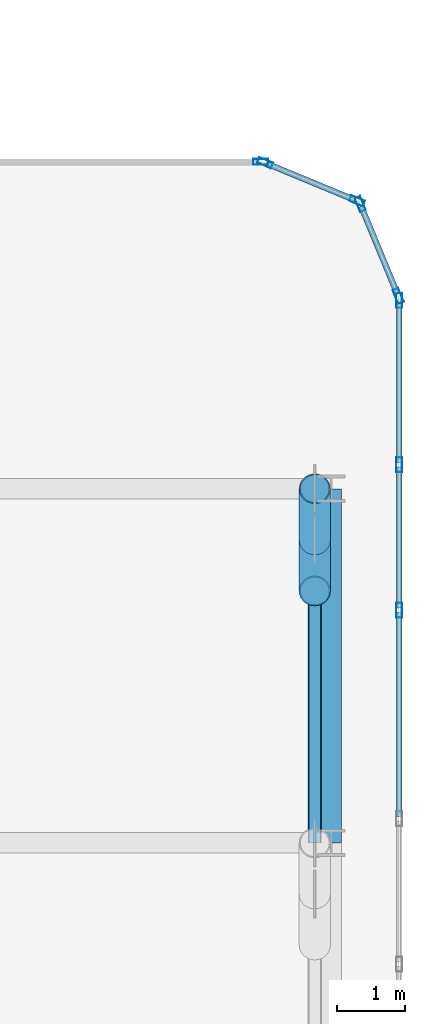
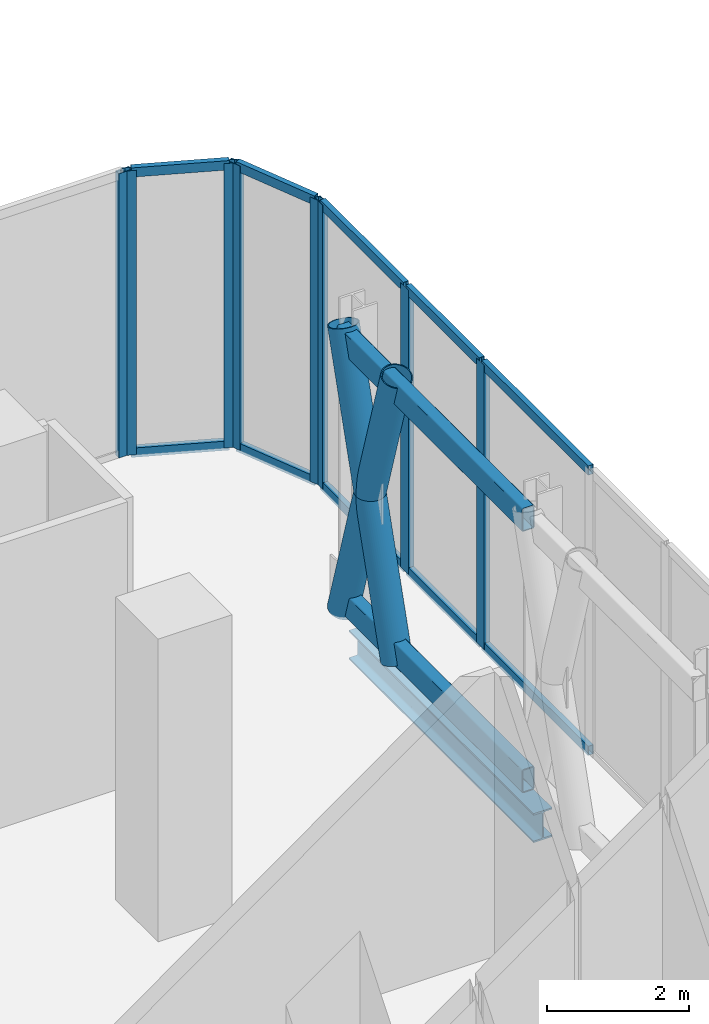
# One storey, part 20 of 36: 23 members, 1 beam, 6 elements without a shape of their own.
"""IFC4 building model written with IfcOpenShell, lengths in metres."""

from ifc_helpers import new_model, si_unit, direction, frame, origin, origin_2d, place, context, subcontext, project, spatial, hollow_rectangle, hollow_circle, i_section, extrude, material, layer, layer_set, material_profile, profile_set, type_object, element, aggregate, save


model = new_model("IFC4")

# Units and contexts
model_context = context("Model", 3, precision=1e-05, world=origin(), true_north=direction((0.0, 1.0)))
body_context = subcontext(model_context, "Body", "Model", "MODEL_VIEW")
ifc_project = project(units=[si_unit("LENGTHUNIT", "METRE"), si_unit("AREAUNIT", "SQUARE_METRE"), si_unit("VOLUMEUNIT", "CUBIC_METRE"), si_unit("PLANEANGLEUNIT", "RADIAN"), si_unit("MASSUNIT", "GRAM", prefix="KILO")], contexts=[model_context])

# Site, building, storey
site_placement = place(None, origin())
site = spatial("IfcSite", under=ifc_project, at=site_placement, CompositionType="ELEMENT")
building_placement = place(site_placement, origin())
building = spatial("IfcBuilding", under=site, at=building_placement, Name="Keshet Zoharim Tower", CompositionType="ELEMENT")
storey_placement = place(building_placement, frame((0.0, 0.0, 81.199951171875)))
storey = spatial("IfcBuildingStorey", under=building, at=storey_placement, Name="L19", CompositionType="ELEMENT", Elevation=81.199951171875)

# Beam
ifc_material_1 = material(Name="Steel S355", Category="steel")
ifc_material_profile_1 = material_profile(ifc_material_1, i_section(OverallWidth=0.300048828125, OverallDepth=0.5, WebThickness=0.014404296875, FlangeThickness=0.028076171875, FilletRadius=0.027099609375, at=origin_2d()), Name="HEB500")
ifc_profile_set_1 = profile_set([ifc_material_profile_1], Name="Steel S355")
beam_type = type_object("IfcBeamType", Name="BM-WEB-HB500", PredefinedType="BEAM", material=ifc_profile_set_1)
beam_placement = place(storey_placement, frame((69.0, 22.699951171875, -0.669921875), z_axis=(0.0, 1.0, 0.0), x_axis=(-1.0, 0.0, 0.0)))
element("IfcBeam", 1, at=beam_placement, inside=storey, type_object=beam_type, Name="L19 Primary Girder Y-025", PredefinedType="BEAM", context=body_context, shape_type="SweptSolid", body=[
    extrude(i_section(OverallWidth=0.300048828125, OverallDepth=0.5, WebThickness=0.014404296875, FlangeThickness=0.028076171875, FilletRadius=0.027099609375, at=origin_2d()), origin(), (0.0, 0.0, 1.0), 5.199951171875),
])

# Curtain wall, member
ifc_material_2 = material(Name="Aluminium 6063-T6", Category="aluminium")
ifc_layer = layer(ifc_material_2, 0.169921875)
ifc_layer_set = layer_set([ifc_layer], Name="Aluminium 6063-T6")
curtain_wall_type = type_object("IfcCurtainWallType", Name="CW-SYS-02", PredefinedType="NOTDEFINED", material=ifc_layer_set)
curtain_wall_1_placement = place(storey_placement, origin())
curtain_wall_1 = element("IfcCurtainWall", 2, at=curtain_wall_1_placement, inside=storey, type_object=curtain_wall_type, Name="L19 Unitised Curtain Wall 13", PredefinedType="NOTDEFINED")
ifc_material_profile_2 = material_profile(ifc_material_2, hollow_rectangle(XDim=0.090087890625, YDim=0.219970703125, WallThickness=0.0048828125, at=origin_2d()), Name="MUL-90x220")
ifc_profile_set_2 = profile_set([ifc_material_profile_2], Name="Aluminium 6063-T6")
member_type_1 = type_object("IfcMemberType", Name="CWM-M22", PredefinedType="MULLION", material=ifc_profile_set_2)
member_1_placement = place(storey_placement, frame((67.965087890625, 32.699951171875, 0.0), z_axis=(0.0, 0.0, 1.0), x_axis=(0.0, 1.0, 0.0)))
member_1 = element("IfcMember", 3, at=member_1_placement, type_object=member_type_1, Name="CW-02 mullion 2", PredefinedType="MULLION", context=body_context, shape_type="SweptSolid", body=[
    extrude(hollow_rectangle(XDim=0.090087890625, YDim=0.219970703125, WallThickness=0.0048828125, at=origin_2d()), origin(), (0.0, 0.0, 1.0), 4.885009765625),
])
aggregate(curtain_wall_1, [member_1])

# Curtain wall, members
curtain_wall_2_placement = place(storey_placement, origin())
curtain_wall_2 = element("IfcCurtainWall", 4, at=curtain_wall_2_placement, inside=storey, type_object=curtain_wall_type, Name="L19 Unitised Curtain Wall 14", PredefinedType="NOTDEFINED")
member_2_placement = place(storey_placement, frame((68.0322265625, 32.6865234375, 0.0), z_axis=(0.0, 0.0, 1.0), x_axis=(0.382851849847, 0.92380975372, 0.0)))
member_2 = element("IfcMember", 5, at=member_2_placement, type_object=member_type_1, Name="CW-02 mullion 1", PredefinedType="MULLION", context=body_context, shape_type="SweptSolid", body=[
    extrude(hollow_rectangle(XDim=0.090087890625, YDim=0.219970703125, WallThickness=0.0048828125, at=origin_2d()), origin(), (0.0, 0.0, 1.0), 4.885009765625),
])
member_3_placement = place(storey_placement, frame((69.381591796875, 32.12744140625, 0.0), z_axis=(0.0, 0.0, 1.0), x_axis=(0.382851849847, 0.92380975372, 0.0)))
member_3 = element("IfcMember", 6, at=member_3_placement, type_object=member_type_1, Name="CW-02 mullion 2", PredefinedType="MULLION", context=body_context, shape_type="SweptSolid", body=[
    extrude(hollow_rectangle(XDim=0.090087890625, YDim=0.219970703125, WallThickness=0.0048828125, at=origin_2d()), origin(), (0.0, 0.0, 1.0), 4.885009765625),
])

curtain_wall_3_placement = place(storey_placement, origin())
curtain_wall_3 = element("IfcCurtainWall", 7, at=curtain_wall_3_placement, inside=storey, type_object=curtain_wall_type, Name="L19 Unitised Curtain Wall 15", PredefinedType="NOTDEFINED")
member_4_placement = place(storey_placement, frame((69.427490234375, 32.081787109375, 0.0), z_axis=(0.0, 0.0, 1.0), x_axis=(0.92380975372, 0.382851849847, 0.0)))
member_4 = element("IfcMember", 8, at=member_4_placement, type_object=member_type_1, Name="CW-02 mullion 1", PredefinedType="MULLION", context=body_context, shape_type="SweptSolid", body=[
    extrude(hollow_rectangle(XDim=0.090087890625, YDim=0.219970703125, WallThickness=0.0048828125, at=origin_2d()), origin(), (0.0, 0.0, 1.0), 4.885009765625),
])
member_5_placement = place(storey_placement, frame((69.986572265625, 30.732421875, 0.0), z_axis=(0.0, 0.0, 1.0), x_axis=(0.92380975372, 0.382851849847, 0.0)))
member_5 = element("IfcMember", 9, at=member_5_placement, type_object=member_type_1, Name="CW-02 mullion 2", PredefinedType="MULLION", context=body_context, shape_type="SweptSolid", body=[
    extrude(hollow_rectangle(XDim=0.090087890625, YDim=0.219970703125, WallThickness=0.0048828125, at=origin_2d()), origin(), (0.0, 0.0, 1.0), 4.885009765625),
])

curtain_wall_4_placement = place(storey_placement, origin())
curtain_wall_4 = element("IfcCurtainWall", 10, at=curtain_wall_4_placement, inside=storey, type_object=curtain_wall_type, Name="L19 Unitised Curtain Wall 16", PredefinedType="NOTDEFINED")
member_6_placement = place(storey_placement, frame((70.0, 30.6650390625, 0.0), z_axis=(0.0, 0.0, 1.0), x_axis=(1.0, 0.0, 0.0)))
member_6 = element("IfcMember", 11, at=member_6_placement, type_object=member_type_1, Name="CW-02 mullion 1", PredefinedType="MULLION", context=body_context, shape_type="SweptSolid", body=[
    extrude(hollow_rectangle(XDim=0.090087890625, YDim=0.219970703125, WallThickness=0.0048828125, at=origin_2d()), origin(), (0.0, 0.0, 1.0), 4.885009765625),
])
member_7_placement = place(storey_placement, frame((70.0, 28.25341796875, 0.0), z_axis=(0.0, 0.0, 1.0), x_axis=(1.0, 0.0, 0.0)))
member_7 = element("IfcMember", 12, at=member_7_placement, type_object=member_type_1, Name="CW-02 mullion 2", PredefinedType="MULLION", context=body_context, shape_type="SweptSolid", body=[
    extrude(hollow_rectangle(XDim=0.090087890625, YDim=0.219970703125, WallThickness=0.0048828125, at=origin_2d()), origin(), (0.0, 0.0, 1.0), 4.885009765625),
])

# Curtain wall, member
curtain_wall_5_placement = place(storey_placement, origin())
curtain_wall_5 = element("IfcCurtainWall", 13, at=curtain_wall_5_placement, inside=storey, type_object=curtain_wall_type, Name="L19 Unitised Curtain Wall 16 Part 2", PredefinedType="NOTDEFINED")
member_8_placement = place(storey_placement, frame((70.0, 26.11669921875, 0.0), z_axis=(0.0, 0.0, 1.0), x_axis=(1.0, 0.0, 0.0)))
member_8 = element("IfcMember", 14, at=member_8_placement, type_object=member_type_1, Name="CW-02 mullion 2", PredefinedType="MULLION", context=body_context, shape_type="SweptSolid", body=[
    extrude(hollow_rectangle(XDim=0.090087890625, YDim=0.219970703125, WallThickness=0.0048828125, at=origin_2d()), origin(), (0.0, 0.0, 1.0), 4.885009765625),
])

# Member
ifc_material_profile_3 = material_profile(ifc_material_2, hollow_rectangle(XDim=0.0849609375, YDim=0.159912109375, WallThickness=0.00439453125, at=origin_2d()), Name="TRN-85x160")
ifc_profile_set_3 = profile_set([ifc_material_profile_3], Name="Aluminium 6063-T6")
member_type_2 = type_object("IfcMemberType", Name="CWT-T16", PredefinedType="USERDEFINED", material=ifc_profile_set_3)
member_9_placement = place(storey_placement, frame((68.064697265625, 32.673095703125, 0.03515625), z_axis=(0.923854189844, -0.382744609247, 0.0), x_axis=(0.382744609247, 0.923854189844, 0.0)))
member_9 = element("IfcMember", 15, at=member_9_placement, type_object=member_type_2, Name="CW-02 transom 1.1", ObjectType="TRANSOM", PredefinedType="USERDEFINED", context=body_context, shape_type="SweptSolid", body=[
    extrude(hollow_rectangle(XDim=0.0849609375, YDim=0.159912109375, WallThickness=0.00439453125, at=origin_2d()), origin(), (0.0, 0.0, 1.0), 1.390625),
])

member_10_placement = place(storey_placement, frame((68.064697265625, 32.673095703125, 4.85009765625), z_axis=(0.923854189844, -0.382744609247, 0.0), x_axis=(0.382744609247, 0.923854189844, 0.0)))
member_10 = element("IfcMember", 16, at=member_10_placement, type_object=member_type_2, Name="CW-02 transom 1.2", ObjectType="TRANSOM", PredefinedType="USERDEFINED", context=body_context, shape_type="SweptSolid", body=[
    extrude(hollow_rectangle(XDim=0.0849609375, YDim=0.159912109375, WallThickness=0.00439453125, at=origin_2d()), origin(), (0.0, 0.0, 1.0), 1.390625),
])

aggregate(curtain_wall_2, [member_2, member_3, member_9, member_10])

member_11_placement = place(storey_placement, frame((69.44091796875, 32.04931640625, 0.03515625), z_axis=(0.382744609247, -0.923854189844, 0.0), x_axis=(0.923854189844, 0.382744609247, 0.0)))
member_11 = element("IfcMember", 17, at=member_11_placement, type_object=member_type_2, Name="CW-02 transom 1.1", ObjectType="TRANSOM", PredefinedType="USERDEFINED", context=body_context, shape_type="SweptSolid", body=[
    extrude(hollow_rectangle(XDim=0.0849609375, YDim=0.159912109375, WallThickness=0.00439453125, at=origin_2d()), origin(), (0.0, 0.0, 1.0), 1.390625),
])

member_12_placement = place(storey_placement, frame((69.44091796875, 32.04931640625, 4.85009765625), z_axis=(0.382744609247, -0.923854189844, 0.0), x_axis=(0.923854189844, 0.382744609247, 0.0)))
member_12 = element("IfcMember", 18, at=member_12_placement, type_object=member_type_2, Name="CW-02 transom 1.2", ObjectType="TRANSOM", PredefinedType="USERDEFINED", context=body_context, shape_type="SweptSolid", body=[
    extrude(hollow_rectangle(XDim=0.0849609375, YDim=0.159912109375, WallThickness=0.00439453125, at=origin_2d()), origin(), (0.0, 0.0, 1.0), 1.390625),
])

aggregate(curtain_wall_3, [member_4, member_5, member_11, member_12])

member_13_placement = place(storey_placement, frame((70.0, 30.6298828125, 0.03515625), z_axis=(0.0, -1.0, 0.0), x_axis=(1.0, 0.0, 0.0)))
member_13 = element("IfcMember", 19, at=member_13_placement, type_object=member_type_2, Name="CW-02 transom 1.1", ObjectType="TRANSOM", PredefinedType="USERDEFINED", context=body_context, shape_type="SweptSolid", body=[
    extrude(hollow_rectangle(XDim=0.0849609375, YDim=0.159912109375, WallThickness=0.00439453125, at=origin_2d()), origin(), (0.0, 0.0, 1.0), 2.341552734375),
])

member_14_placement = place(storey_placement, frame((70.0, 30.6298828125, 4.85009765625), z_axis=(0.0, -1.0, 0.0), x_axis=(1.0, 0.0, 0.0)))
member_14 = element("IfcMember", 20, at=member_14_placement, type_object=member_type_2, Name="CW-02 transom 1.2", ObjectType="TRANSOM", PredefinedType="USERDEFINED", context=body_context, shape_type="SweptSolid", body=[
    extrude(hollow_rectangle(XDim=0.0849609375, YDim=0.159912109375, WallThickness=0.00439453125, at=origin_2d()), origin(), (0.0, 0.0, 1.0), 2.341552734375),
])

aggregate(curtain_wall_4, [member_6, member_7, member_13, member_14])

member_15_placement = place(storey_placement, frame((70.0, 28.218505859375, 0.03515625), z_axis=(0.0, -1.0, 0.0), x_axis=(1.0, 0.0, 0.0)))
member_15 = element("IfcMember", 21, at=member_15_placement, type_object=member_type_2, Name="CW-02 transom 1.1", ObjectType="TRANSOM", PredefinedType="USERDEFINED", context=body_context, shape_type="SweptSolid", body=[
    extrude(hollow_rectangle(XDim=0.0849609375, YDim=0.159912109375, WallThickness=0.00439453125, at=origin_2d()), origin(), (0.0, 0.0, 1.0), 2.06689453125),
])

member_16_placement = place(storey_placement, frame((70.0, 28.218505859375, 4.85009765625), z_axis=(0.0, -1.0, 0.0), x_axis=(1.0, 0.0, 0.0)))
member_16 = element("IfcMember", 22, at=member_16_placement, type_object=member_type_2, Name="CW-02 transom 1.2", ObjectType="TRANSOM", PredefinedType="USERDEFINED", context=body_context, shape_type="SweptSolid", body=[
    extrude(hollow_rectangle(XDim=0.0849609375, YDim=0.159912109375, WallThickness=0.00439453125, at=origin_2d()), origin(), (0.0, 0.0, 1.0), 2.06689453125),
])

aggregate(curtain_wall_5, [member_8, member_15, member_16])

# Curtain wall, members
curtain_wall_6_placement = place(storey_placement, origin())
curtain_wall_6 = element("IfcCurtainWall", 23, at=curtain_wall_6_placement, inside=storey, type_object=curtain_wall_type, Name="L19 Unitised Curtain Wall 16 Part 3", PredefinedType="NOTDEFINED")
member_17_placement = place(storey_placement, frame((70.0, 26.08154296875, 0.03515625), z_axis=(0.0, -1.0, 0.0), x_axis=(1.0, 0.0, 0.0)))
member_17 = element("IfcMember", 24, at=member_17_placement, type_object=member_type_2, Name="CW-02 transom 1.1", ObjectType="TRANSOM", PredefinedType="USERDEFINED", context=body_context, shape_type="SweptSolid", body=[
    extrude(hollow_rectangle(XDim=0.0849609375, YDim=0.159912109375, WallThickness=0.00439453125, at=origin_2d()), origin(), (0.0, 0.0, 1.0), 2.9931640625),
])
member_18_placement = place(storey_placement, frame((70.0, 26.08154296875, 4.85009765625), z_axis=(0.0, -1.0, 0.0), x_axis=(1.0, 0.0, 0.0)))
member_18 = element("IfcMember", 25, at=member_18_placement, type_object=member_type_2, Name="CW-02 transom 1.2", ObjectType="TRANSOM", PredefinedType="USERDEFINED", context=body_context, shape_type="SweptSolid", body=[
    extrude(hollow_rectangle(XDim=0.0849609375, YDim=0.159912109375, WallThickness=0.00439453125, at=origin_2d()), origin(), (0.0, 0.0, 1.0), 2.9931640625),
])
aggregate(curtain_wall_6, [member_17, member_18])

# Members
ifc_material_profile_4 = material_profile(ifc_material_1, hollow_circle(Radius=0.228515625, WallThickness=0.01611328125, at=origin_2d()), Name="CHS457x16")
ifc_profile_set_4 = profile_set([ifc_material_profile_4], Name="Steel S355")
member_type_3 = type_object("IfcMemberType", Name="MB-BELT-C457", PredefinedType="BRACE", material=ifc_profile_set_4)
member_19_placement = place(storey_placement, frame((68.760009765625, 27.89990234375, 0.0), z_axis=(0.0, -0.293535214916, 0.955948260945), x_axis=(1.0, 0.0, 0.0)))
element("IfcMember", 26, at=member_19_placement, inside=storey, type_object=member_type_3, Name="L19 Perimeter Belt Truss Continuous Diagonal A07", PredefinedType="BRACE", context=body_context, shape_type="SweptSolid", body=[
    extrude(hollow_circle(Radius=0.228515625, WallThickness=0.01611328125, at=origin_2d()), origin(), (0.0, 0.0, 1.0), 5.110107421875),
])
member_20_placement = place(storey_placement, frame((68.760009765625, 26.39990234375, 0.0), z_axis=(0.0, 0.293521809364, 0.955952377176), x_axis=(-1.0, 0.0, 0.0)))
element("IfcMember", 27, at=member_20_placement, inside=storey, type_object=member_type_3, Name="L19 Perimeter Belt Truss Split Diagonal B1-07", PredefinedType="BRACE", context=body_context, shape_type="SweptSolid", body=[
    extrude(hollow_circle(Radius=0.228515625, WallThickness=0.01611328125, at=origin_2d()), origin(), (0.0, 0.0, 1.0), 2.55517578125),
])
member_21_placement = place(storey_placement, frame((68.760009765625, 27.14990234375, 2.442626953125), z_axis=(0.0, 0.293548621635, 0.955944144151), x_axis=(-1.0, 0.0, 0.0)))
element("IfcMember", 28, at=member_21_placement, inside=storey, type_object=member_type_3, Name="L19 Perimeter Belt Truss Split Diagonal B2-07", PredefinedType="BRACE", context=body_context, shape_type="SweptSolid", body=[
    extrude(hollow_circle(Radius=0.228515625, WallThickness=0.01611328125, at=origin_2d()), origin(), (0.0, 0.0, 1.0), 2.554931640625),
])
ifc_material_profile_5 = material_profile(ifc_material_1, hollow_rectangle(XDim=0.199951171875, YDim=0.39990234375, WallThickness=0.01611328125, InnerFilletRadius=0.01611328125, OuterFilletRadius=0.02392578125, at=origin_2d()), Name="RHS400x200x16")
ifc_profile_set_5 = profile_set([ifc_material_profile_5], Name="Steel S355")
member_type_4 = type_object("IfcMemberType", Name="MB-CHD-R400", PredefinedType="CHORD", material=ifc_profile_set_5)
for number, where, z_axis, x_axis, name in (
    (29, (68.760009765625, 27.89990234375, 0.199951171875), (0.0, -1.0, 0.0), (1.0, 0.0, 0.0), "L19 Perimeter Belt Truss Chord B07"),
    (30, (68.760009765625, 27.89990234375, 4.68505859375), (0.0, -1.0, 0.0), (1.0, 0.0, 0.0), "L19 Perimeter Belt Truss Top Chord T07"),
):
    element("IfcMember", number, at=place(storey_placement, frame(where, z_axis=z_axis, x_axis=x_axis)), inside=storey, type_object=member_type_4, Name=name, PredefinedType="CHORD", context=body_context, shape_type="SweptSolid", body=[
        extrude(hollow_rectangle(XDim=0.199951171875, YDim=0.39990234375, WallThickness=0.01611328125, InnerFilletRadius=0.01611328125, OuterFilletRadius=0.02392578125, at=origin_2d()), origin(), (0.0, 0.0, 1.0), 5.199951171875),
    ])

save(model, "model.ifc")
